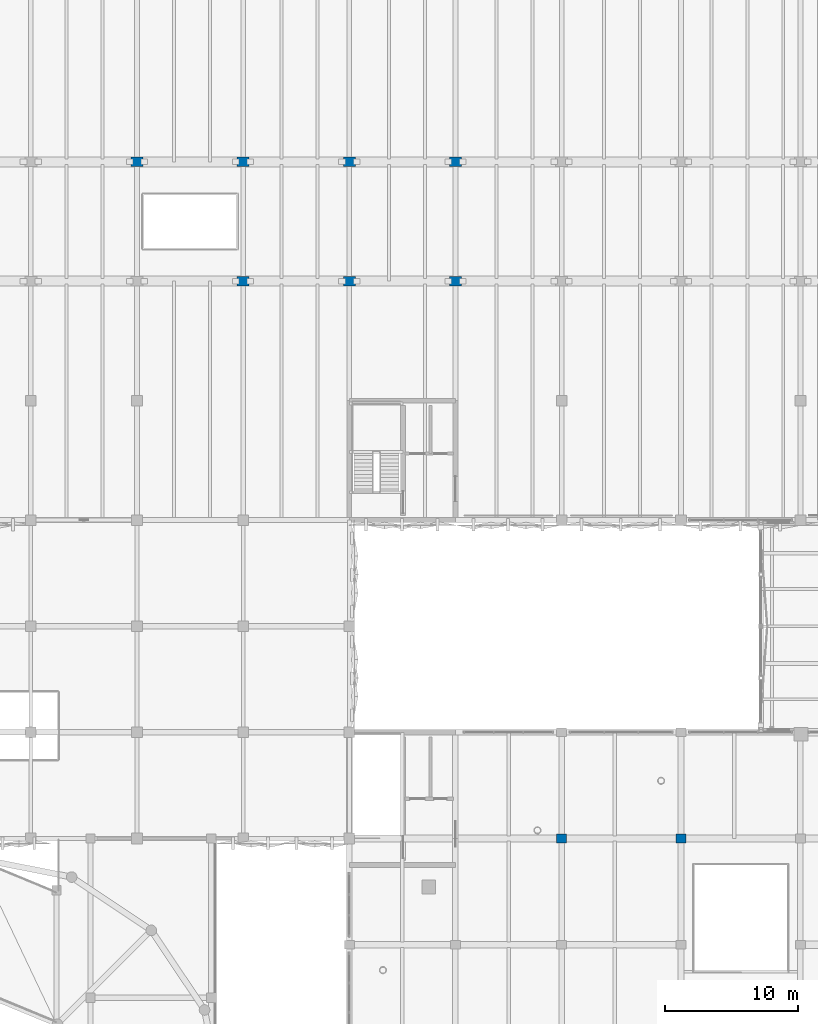
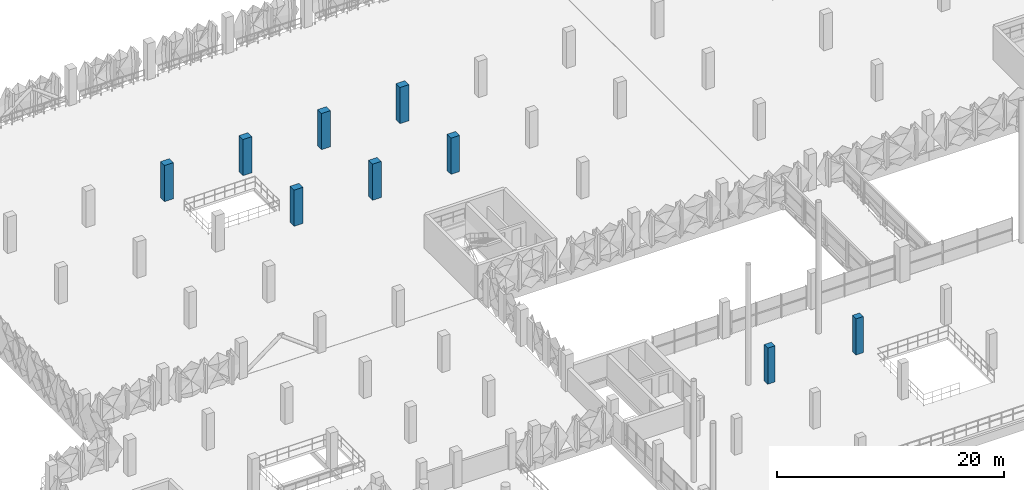
# One storey, part 9 of 123: 9 columns.
"""IFC4 building model written with IfcOpenShell, lengths in metres."""

from ifc_helpers import new_model, si_unit, derived_unit, direction, frame, origin, origin_2d, place, context, subcontext, project, spatial, rectangle, extrude, material, material_profile, profile_set, type_object, element, save


model = new_model("IFC4")

# Units and contexts
model_context = context("Model", 3, precision=1e-05, world=origin(), true_north=direction((0.0, 1.0)))
body_context = subcontext(model_context, "Body", "Model", "MODEL_VIEW")
ifc_project = project(units=[si_unit("LENGTHUNIT", "METRE"), si_unit("AREAUNIT", "SQUARE_METRE"), si_unit("VOLUMEUNIT", "CUBIC_METRE"), si_unit("PLANEANGLEUNIT", "RADIAN"), si_unit("MASSUNIT", "GRAM", prefix="KILO"), si_unit("THERMODYNAMICTEMPERATUREUNIT", "KELVIN"), derived_unit("THERMALTRANSMITTANCEUNIT", [(si_unit("POWERUNIT", "WATT"), 1), (si_unit("AREAUNIT", "SQUARE_METRE"), -1), (si_unit("THERMODYNAMICTEMPERATUREUNIT", "KELVIN"), -1)])], contexts=[model_context])

# Site, building, storey
site_placement = place(None, origin())
site = spatial("IfcSite", under=ifc_project, at=site_placement, CompositionType="ELEMENT")
building_placement = place(site_placement, origin())
building = spatial("IfcBuilding", under=site, at=building_placement, Name="Haiyu Intermodal Mobility Hub", CompositionType="ELEMENT")
storey_placement = place(building_placement, frame((0.0, 0.0, 5.60009765625)))
storey = spatial("IfcBuildingStorey", under=building, at=storey_placement, Name="L01", CompositionType="ELEMENT", Elevation=5.60009765625)

# Columns
ifc_material_1 = material(Name="Precast concrete C40", Category="concrete")
ifc_material_profile_1 = material_profile(ifc_material_1, rectangle(XDim=0.89990234375, YDim=0.699951171875, at=origin_2d()), Name="RC900x700")
ifc_profile_set_1 = profile_set([ifc_material_profile_1], Name="Precast concrete C40")
column_type_1 = type_object("IfcColumnType", Name="COL-CC04", PredefinedType="COLUMN", material=ifc_profile_set_1)
for number, where, z_axis, x_axis, name in (
    (1, (46.0, 131.0, 0.0), (0.0, 0.0, 1.0), (1.0, 0.0, 0.0), "Column V4-5Q L01"),
    (2, (54.0, 122.0, 0.0), (0.0, 0.0, 1.0), (1.0, 0.0, 0.0), "Column V4-6P L01"),
    (3, (54.0, 131.0, 0.0), (0.0, 0.0, 1.0), (1.0, 0.0, 0.0), "Column V4-6Q L01"),
    (4, (62.0, 122.0, 0.0), (0.0, 0.0, 1.0), (1.0, 0.0, 0.0), "Column V4-7P L01"),
    (5, (62.0, 131.0, 0.0), (0.0, 0.0, 1.0), (1.0, 0.0, 0.0), "Column V4-7Q L01"),
    (6, (70.0, 122.0, 0.0), (0.0, 0.0, 1.0), (1.0, 0.0, 0.0), "Column V4-8P L01"),
    (7, (70.0, 131.0, 0.0), (0.0, 0.0, 1.0), (1.0, 0.0, 0.0), "Column V4-8Q L01"),
):
    element("IfcColumn", number, at=place(storey_placement, frame(where, z_axis=z_axis, x_axis=x_axis)), inside=storey, type_object=column_type_1, Name=name, PredefinedType="COLUMN", context=body_context, shape_type="SweptSolid", body=[
        extrude(rectangle(XDim=0.89990234375, YDim=0.699951171875, at=origin_2d()), origin(), (0.0, 0.0, 1.0), 3.89990234375),
    ])
ifc_material_2 = material(Name="Concrete C40", Category="concrete")
ifc_material_profile_2 = material_profile(ifc_material_2, rectangle(XDim=0.75, YDim=0.64990234375, at=origin_2d()), Name="RC750x650")
ifc_profile_set_2 = profile_set([ifc_material_profile_2], Name="Concrete C40")
column_type_2 = type_object("IfcColumnType", Name="COL-CC07", PredefinedType="COLUMN", material=ifc_profile_set_2)
for number, where, z_axis, x_axis, name in (
    (8, (78.0, 80.0, 0.0), (0.0, 0.0, 1.0), (1.0, 0.0, 0.0), "Column V1-9J L01"),
    (9, (87.0, 80.0, 0.0), (0.0, 0.0, 1.0), (1.0, 0.0, 0.0), "Column V1-10J L01"),
):
    element("IfcColumn", number, at=place(storey_placement, frame(where, z_axis=z_axis, x_axis=x_axis)), inside=storey, type_object=column_type_2, Name=name, PredefinedType="COLUMN", context=body_context, shape_type="SweptSolid", body=[
        extrude(rectangle(XDim=0.75, YDim=0.64990234375, at=origin_2d()), origin(), (0.0, 0.0, 1.0), 3.89990234375),
    ])

save(model, "model.ifc")
